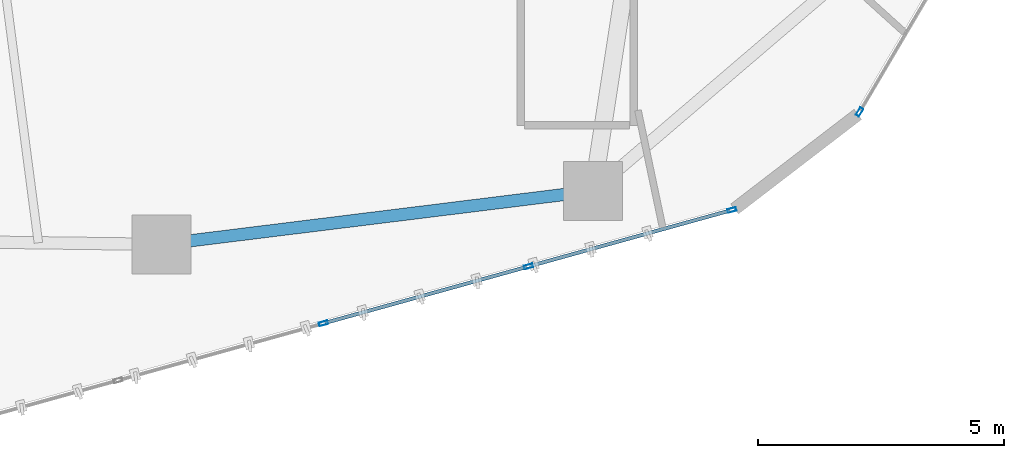
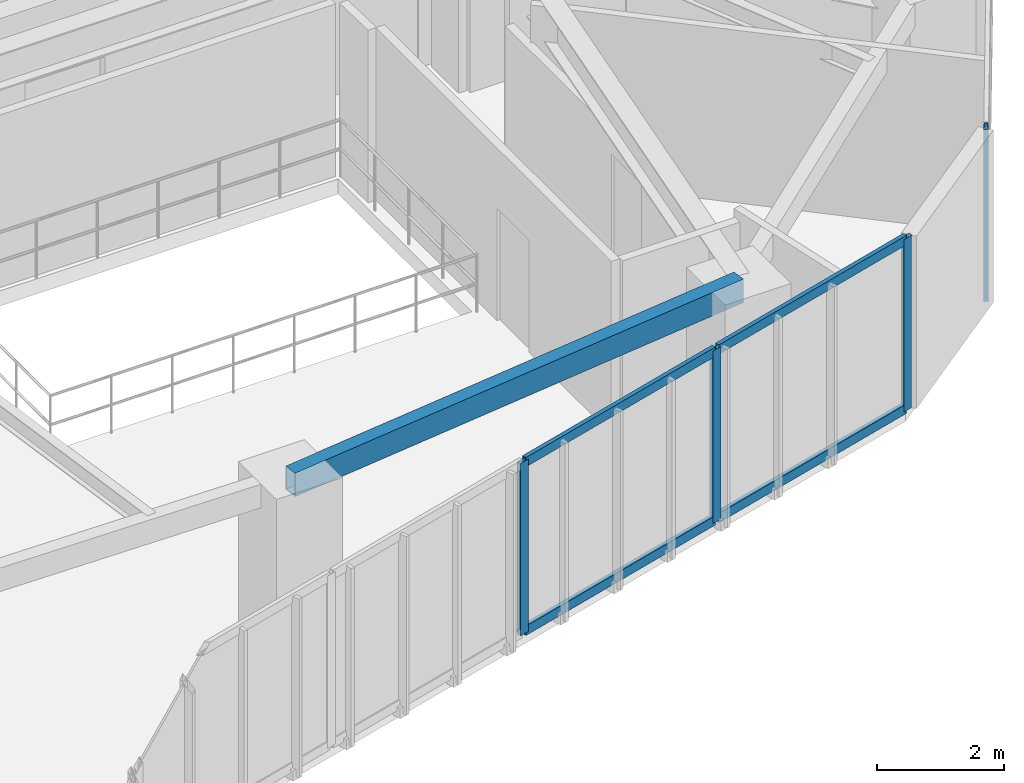
# One storey, part 5 of 20: 8 members, 1 beam, 2 elements without a shape of their own.
"""IFC4 building model written with IfcOpenShell, lengths in metres."""

from ifc_helpers import new_model, si_unit, direction, frame, origin, origin_2d, place, context, subcontext, project, spatial, hollow_rectangle, extrude, source, transform, mapped, material, layer, layer_set, material_profile, profile_set, type_object, type_shapes, element, aggregate, save


model = new_model("IFC4")

# Units and contexts
model_context = context("Model", 3, precision=1e-05, world=origin(), true_north=direction((0.0, 1.0)))
body_context = subcontext(model_context, "Body", "Model", "MODEL_VIEW")
ifc_project = project(units=[si_unit("LENGTHUNIT", "METRE"), si_unit("AREAUNIT", "SQUARE_METRE"), si_unit("VOLUMEUNIT", "CUBIC_METRE"), si_unit("PLANEANGLEUNIT", "RADIAN"), si_unit("MASSUNIT", "GRAM", prefix="KILO")], contexts=[model_context])

# Site, building, storey
site_placement = place(None, origin())
site = spatial("IfcSite", under=ifc_project, at=site_placement, CompositionType="ELEMENT")
building_placement = place(site_placement, origin())
building = spatial("IfcBuilding", under=site, at=building_placement, Name="Talar Marvaseh", CompositionType="ELEMENT")
storey_placement = place(building_placement, frame((0.0, 0.0, 136.199951171875)))
storey = spatial("IfcBuildingStorey", under=building, at=storey_placement, Name="L35", CompositionType="ELEMENT", Elevation=136.199951171875)

# Beam
ifc_material_1 = material(Name="Steel S355", Category="steel")
ifc_material_profile_1 = material_profile(ifc_material_1, hollow_rectangle(XDim=0.25, YDim=0.449951171875, WallThickness=0.01611328125, at=origin_2d()), Name="RHS450x250x16")
ifc_profile_set_1 = profile_set([ifc_material_profile_1], Name="Steel S355")
beam_type = type_object("IfcBeamType", Name="Zone 2 Perimeter Spandrel Beam RHS450x250x16", PredefinedType="SPANDREL", material=ifc_profile_set_1)
beam_placement = place(storey_placement, frame((31.570068359375, 14.26806640625, 3.0849609375), z_axis=(-0.992426007218, -0.122843885468, 0.0), x_axis=(0.122843885468, -0.992426007218, 0.0)))
element("IfcBeam", 1, at=beam_placement, inside=storey, type_object=beam_type, Name="L35 Zone 2 Perimeter Spandrel Beam RHS450x250x16", PredefinedType="SPANDREL", context=body_context, shape_type="SweptSolid", body=[
    extrude(hollow_rectangle(XDim=0.25, YDim=0.449951171875, WallThickness=0.01611328125, at=origin_2d()), origin(), (0.0, 0.0, 1.0), 8.83203125),
])

# Curtain wall, member
ifc_material_2 = material(Name="Architectural Aluminium", Category="aluminium")
ifc_layer = layer(ifc_material_2, 0.199951171875)
ifc_layer_set = layer_set([ifc_layer], Name="Architectural Aluminium")
curtain_wall_type = type_object("IfcCurtainWallType", Name="Unitised Acoustic Library Curtain Wall Z2", PredefinedType="NOTDEFINED", material=ifc_layer_set)
curtain_wall_1_placement = place(storey_placement, origin())
curtain_wall_1 = element("IfcCurtainWall", 2, at=curtain_wall_1_placement, inside=storey, type_object=curtain_wall_type, Name="L35 Unitised Acoustic Library Curtain Wall Z2", PredefinedType="NOTDEFINED")
ifc_material_profile_2 = material_profile(ifc_material_2, hollow_rectangle(XDim=0.074951171875, YDim=0.179931640625, WallThickness=0.0048828125, at=origin_2d()), Name="RHS180x75x5")
ifc_profile_set_2 = profile_set([ifc_material_profile_2], Name="Architectural Aluminium")
member_type_1 = type_object("IfcMemberType", Name="Unitised Curtain Wall Standard Mullion RHS180x75x5", PredefinedType="MULLION", material=ifc_profile_set_2)
shared_shape_1 = source(origin(), body_context, "Body", "SweptSolid", [
    extrude(hollow_rectangle(XDim=0.074951171875, YDim=0.179931640625, WallThickness=0.0048828125, at=origin_2d()), origin(), (0.0, 0.0, 1.0), 3.31005859375),
])
type_shapes(member_type_1, [shared_shape_1])
member_1_placement = place(storey_placement, frame((36.983642578125, 15.87109375, 0.0), z_axis=(0.0, 0.0, 1.0), x_axis=(0.861549987065, -0.507672748715, 0.0)))
member_1 = element("IfcMember", 3, at=member_1_placement, type_object=member_type_1, Name="CW-Z2 mullion 6", PredefinedType="MULLION", context=body_context, shape_type="MappedRepresentation", body=[
    mapped(shared_shape_1, transform((0.0, 0.0, 0.0), x_axis=(1.0, 0.0, 0.0), y_axis=(0.0, 1.0, 0.0), z_axis=(0.0, 0.0, 1.0), scale=1.0)),
])
aggregate(curtain_wall_1, [member_1])

# Curtain wall, members
curtain_wall_2_placement = place(storey_placement, origin())
curtain_wall_2 = element("IfcCurtainWall", 4, at=curtain_wall_2_placement, inside=storey, type_object=curtain_wall_type, Name="L35 Unitised Acoustic Library Curtain Wall Z2", PredefinedType="NOTDEFINED")
member_2_placement = place(storey_placement, frame((34.3896484375, 13.880859375, 0.0), z_axis=(0.0, 0.0, 1.0), x_axis=(0.267388332185, -0.963588854134, 0.0)))
member_2 = element("IfcMember", 5, at=member_2_placement, type_object=member_type_1, Name="CW-Z2 mullion 1", PredefinedType="MULLION", context=body_context, shape_type="MappedRepresentation", body=[
    mapped(shared_shape_1, transform((0.0, 0.0, 0.0), x_axis=(1.0, 0.0, 0.0), y_axis=(0.0, 1.0, 0.0), z_axis=(0.0, 0.0, 1.0), scale=1.0)),
])
member_3_placement = place(storey_placement, frame((30.259765625, 12.734619140625, 0.0), z_axis=(0.0, 0.0, 1.0), x_axis=(0.267388332185, -0.963588854134, 0.0)))
member_3 = element("IfcMember", 6, at=member_3_placement, type_object=member_type_1, Name="CW-Z2 mullion 2", PredefinedType="MULLION", context=body_context, shape_type="MappedRepresentation", body=[
    mapped(shared_shape_1, transform((0.0, 0.0, 0.0), x_axis=(1.0, 0.0, 0.0), y_axis=(0.0, 1.0, 0.0), z_axis=(0.0, 0.0, 1.0), scale=1.0)),
])
member_4_placement = place(storey_placement, frame((26.093505859375, 11.57861328125, 0.0), z_axis=(0.0, 0.0, 1.0), x_axis=(0.267388332185, -0.963588854134, 0.0)))
member_4 = element("IfcMember", 7, at=member_4_placement, type_object=member_type_1, Name="CW-Z2 mullion 3", PredefinedType="MULLION", context=body_context, shape_type="MappedRepresentation", body=[
    mapped(shared_shape_1, transform((0.0, 0.0, 0.0), x_axis=(1.0, 0.0, 0.0), y_axis=(0.0, 1.0, 0.0), z_axis=(0.0, 0.0, 1.0), scale=1.0)),
])
ifc_material_profile_3 = material_profile(ifc_material_2, hollow_rectangle(XDim=0.074951171875, YDim=0.179931640625, WallThickness=0.0048828125, at=origin_2d()), Name="RHS180x75x5")
ifc_profile_set_3 = profile_set([ifc_material_profile_3], Name="Architectural Aluminium")
member_type_2 = type_object("IfcMemberType", Name="Unitised Curtain Wall Transom RHS180x75x5", PredefinedType="USERDEFINED", material=ifc_profile_set_3)
shared_shape_2 = source(origin(), body_context, "Body", "SweptSolid", [
    extrude(hollow_rectangle(XDim=0.074951171875, YDim=0.179931640625, WallThickness=0.0048828125, at=origin_2d()), origin(), (0.0, 0.0, 1.0), 4.2109375),
])
member_5_placement = place(storey_placement, frame((34.353515625, 13.870849609375, 0.03759765625), z_axis=(-0.963587649355, -0.267392673816, 0.0), x_axis=(0.267392673816, -0.963587649355, 0.0)))
member_5 = element("IfcMember", 8, at=member_5_placement, type_object=member_type_2, Name="CW-Z2 transom 1.1", ObjectType="TRANSOM", PredefinedType="USERDEFINED", context=body_context, shape_type="MappedRepresentation", body=[
    mapped(shared_shape_2, transform((0.0, 0.0, 0.0), x_axis=(1.0, 0.0, 0.0), y_axis=(0.0, 1.0, 0.0), z_axis=(0.0, 0.0, 1.0), scale=1.0)),
])
member_6_placement = place(storey_placement, frame((34.353515625, 13.870849609375, 3.2724609375), z_axis=(-0.963587649355, -0.267392673816, 0.0), x_axis=(0.267392673816, -0.963587649355, 0.0)))
member_6 = element("IfcMember", 9, at=member_6_placement, type_object=member_type_2, Name="CW-Z2 transom 1.2", ObjectType="TRANSOM", PredefinedType="USERDEFINED", context=body_context, shape_type="MappedRepresentation", body=[
    mapped(shared_shape_2, transform((0.0, 0.0, 0.0), x_axis=(1.0, 0.0, 0.0), y_axis=(0.0, 1.0, 0.0), z_axis=(0.0, 0.0, 1.0), scale=1.0)),
])
shared_shape_3 = source(origin(), body_context, "Body", "SweptSolid", [
    extrude(hollow_rectangle(XDim=0.074951171875, YDim=0.179931640625, WallThickness=0.0048828125, at=origin_2d()), origin(), (0.0, 0.0, 1.0), 4.248779296875),
])
type_shapes(member_type_2, [shared_shape_2, shared_shape_3])
member_7_placement = place(storey_placement, frame((30.2236328125, 12.724609375, 0.03759765625), z_axis=(-0.963592787499, -0.26737415709, 0.0), x_axis=(0.26737415709, -0.963592787499, 0.0)))
member_7 = element("IfcMember", 10, at=member_7_placement, type_object=member_type_2, Name="CW-Z2 transom 2.1", ObjectType="TRANSOM", PredefinedType="USERDEFINED", context=body_context, shape_type="MappedRepresentation", body=[
    mapped(shared_shape_3, transform((0.0, 0.0, 0.0), x_axis=(1.0, 0.0, 0.0), y_axis=(0.0, 1.0, 0.0), z_axis=(0.0, 0.0, 1.0), scale=1.0)),
])
member_8_placement = place(storey_placement, frame((30.2236328125, 12.724609375, 3.2724609375), z_axis=(-0.963592787499, -0.26737415709, 0.0), x_axis=(0.26737415709, -0.963592787499, 0.0)))
member_8 = element("IfcMember", 11, at=member_8_placement, type_object=member_type_2, Name="CW-Z2 transom 2.2", ObjectType="TRANSOM", PredefinedType="USERDEFINED", context=body_context, shape_type="MappedRepresentation", body=[
    mapped(shared_shape_3, transform((0.0, 0.0, 0.0), x_axis=(1.0, 0.0, 0.0), y_axis=(0.0, 1.0, 0.0), z_axis=(0.0, 0.0, 1.0), scale=1.0)),
])
aggregate(curtain_wall_2, [member_2, member_3, member_4, member_5, member_6, member_7, member_8])

save(model, "model.ifc")
